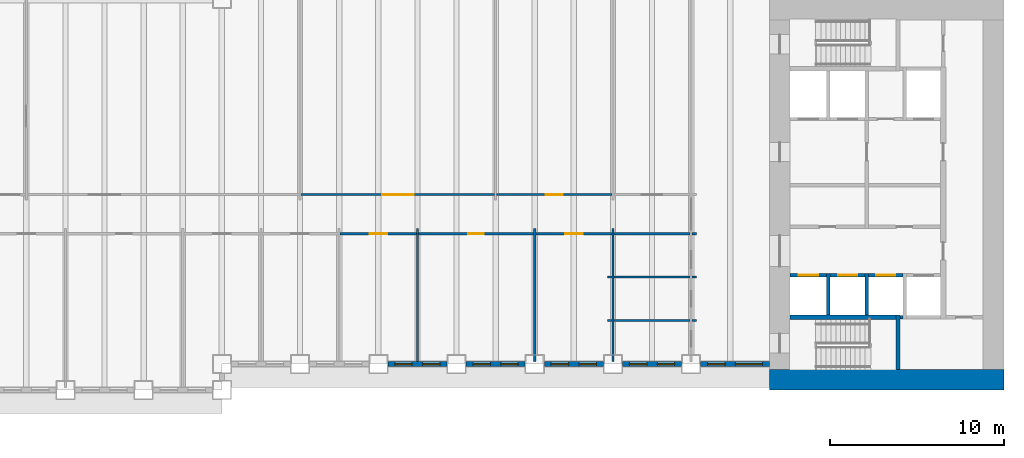
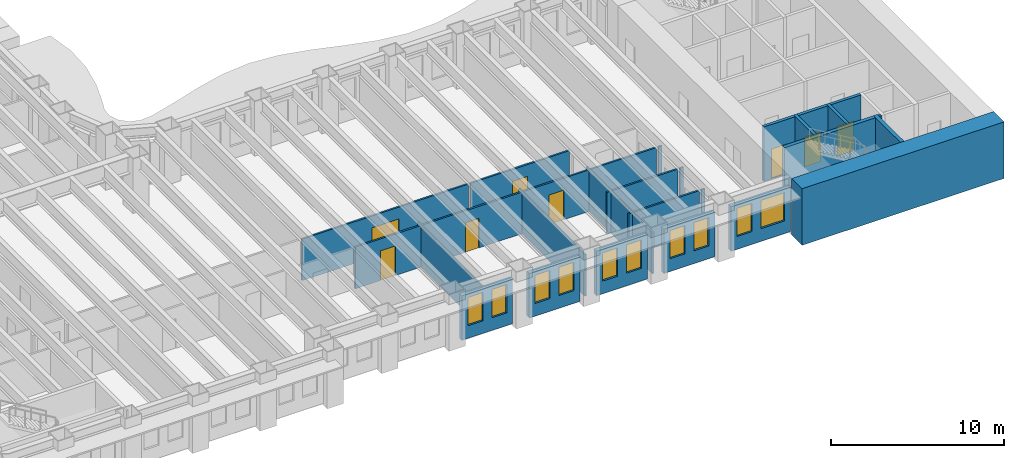
# One storey, part 5 of 15: 30 walls, 10 windows, 8 doors, 18 openings.
"""IFC4 building model written with IfcOpenShell, lengths in metres."""

from ifc_helpers import new_model, si_unit, direction, frame, frame_2d, origin, place, context, subcontext, project, spatial, rectangle, extrude, material, layer, layer_set, type_object, element, fill, save


model = new_model("IFC4")

# Units and contexts
model_context = context("Model", 3, precision=1e-05, world=origin(), true_north=direction((0.0, 1.0)))
body_context = subcontext(model_context, "Body", "Model", "MODEL_VIEW")
ifc_project = project(units=[si_unit("LENGTHUNIT", "METRE"), si_unit("AREAUNIT", "SQUARE_METRE"), si_unit("VOLUMEUNIT", "CUBIC_METRE"), si_unit("PLANEANGLEUNIT", "RADIAN"), si_unit("MASSUNIT", "GRAM", prefix="KILO")], contexts=[model_context])

# Site, building, storey
site_placement = place(None, origin())
site = spatial("IfcSite", under=ifc_project, at=site_placement, CompositionType="ELEMENT")
building_placement = place(site_placement, origin())
building = spatial("IfcBuilding", under=site, at=building_placement, Name="Sennacour Bend Tower", CompositionType="ELEMENT")
storey_placement = place(building_placement, frame((0.0, 0.0, 33.0)))
storey = spatial("IfcBuildingStorey", under=building, at=storey_placement, Name="L06", CompositionType="ELEMENT", Elevation=33.0)

# Walls
ifc_material_1 = material(Name="Concrete C80/95", Category="concrete")
ifc_layer_1 = layer(ifc_material_1, 1.199951171875, Name="Concrete C80/95", Category="concrete")
ifc_layer_set_1 = layer_set([ifc_layer_1], Name="Concrete C80/95")
wall_type_1 = type_object("IfcWallType", Name="Core wall 1200 C80/95", PredefinedType="SHEAR", material=ifc_layer_set_1)
wall_1_placement = place(storey_placement, frame((67.5, 0.60009765625, -0.14990234375), z_axis=(0.0, 0.0, 1.0), x_axis=(-1.0, 0.0, 0.0)))
element("IfcWall", 1, at=wall_1_placement, inside=storey, type_object=wall_type_1, Name="Core A wall L06 S", PredefinedType="SHEAR", context=body_context, shape_type="SweptSolid", body=[
    extrude(rectangle(XDim=13.5, YDim=1.199951171875, at=frame_2d((6.75, 0.0))), origin(), (0.0, 0.0, 1.0), 4.0),
])
ifc_material_2 = material(Name="Plasterboard partition on steel studs", Category="steel")
ifc_layer_2 = layer(ifc_material_2, 0.1201171875, Name="Plasterboard partition on steel studs", Category="steel")
ifc_layer_set_2 = layer_set([ifc_layer_2], Name="Plasterboard partition on steel studs")
wall_type_2 = type_object("IfcWallType", Name="Partition 120", PredefinedType="PARTITIONING", material=ifc_layer_set_2)
for number, where, z_axis, x_axis, name in (
    (2, (33.75, 1.64990234375, 0.0), (0.0, 0.0, 1.0), (0.0, 1.0, 0.0), "P-L06-W029a"),
    (3, (40.5, 1.64990234375, 0.0), (0.0, 0.0, 1.0), (0.0, 1.0, 0.0), "P-L06-W031a"),
    (4, (45.0, 1.64990234375, 0.0), (0.0, 0.0, 1.0), (0.0, 1.0, 0.0), "P-L06-W032a"),
):
    element("IfcWall", number, at=place(storey_placement, frame(where, z_axis=z_axis, x_axis=x_axis)), inside=storey, type_object=wall_type_2, Name=name, PredefinedType="PARTITIONING", context=body_context, shape_type="SweptSolid", body=[
        extrude(rectangle(XDim=7.650146484375, YDim=0.1201171875, at=frame_2d((3.8251953125, 0.0))), origin(), (0.0, 0.0, 1.0), 2.93798828125),
    ])
wall_2_placement = place(storey_placement, frame((44.699951171875, 4.0, 0.0), z_axis=(0.0, 0.0, 1.0), x_axis=(1.0, 0.0, 0.0)))
element("IfcWall", 5, at=wall_2_placement, inside=storey, type_object=wall_type_2, Name="P-L06-W052aa", PredefinedType="PARTITIONING", context=body_context, shape_type="SweptSolid", body=[
    extrude(rectangle(XDim=0.239990234375, YDim=0.1201171875, at=frame_2d((0.1201171875, 0.0))), origin(), (0.0, 0.0, 1.0), 2.93798828125),
])
wall_3_placement = place(storey_placement, frame((45.06005859375, 4.0, 0.0), z_axis=(0.0, 0.0, 1.0), x_axis=(1.0, 0.0, 0.0)))
element("IfcWall", 6, at=wall_3_placement, inside=storey, type_object=wall_type_2, Name="P-L06-W052ab", PredefinedType="PARTITIONING", context=body_context, shape_type="SweptSolid", body=[
    extrude(rectangle(XDim=4.3798828125, YDim=0.1201171875, at=frame_2d((2.18994140625, 0.0))), origin(), (0.0, 0.0, 1.0), 2.93798828125),
])
for number, where, z_axis, x_axis, name in (
    (7, (49.56005859375, 4.0, 0.0), (0.0, 0.0, 1.0), (1.0, 0.0, 0.0), "P-L06-W052ac"),
    (8, (44.699951171875, 6.5, 0.0), (0.0, 0.0, 1.0), (1.0, 0.0, 0.0), "P-L06-W056aa"),
):
    element("IfcWall", number, at=place(storey_placement, frame(where, z_axis=z_axis, x_axis=x_axis)), inside=storey, type_object=wall_type_2, Name=name, PredefinedType="PARTITIONING", context=body_context, shape_type="SweptSolid", body=[
        extrude(rectangle(XDim=0.239990234375, YDim=0.1201171875, at=frame_2d((0.1201171875, 0.0))), origin(), (0.0, 0.0, 1.0), 2.93798828125),
    ])
wall_4_placement = place(storey_placement, frame((45.06005859375, 6.5, 0.0), z_axis=(0.0, 0.0, 1.0), x_axis=(1.0, 0.0, 0.0)))
element("IfcWall", 9, at=wall_4_placement, inside=storey, type_object=wall_type_2, Name="P-L06-W056ab", PredefinedType="PARTITIONING", context=body_context, shape_type="SweptSolid", body=[
    extrude(rectangle(XDim=4.3798828125, YDim=0.1201171875, at=frame_2d((2.18994140625, 0.0))), origin(), (0.0, 0.0, 1.0), 2.93798828125),
])
wall_5_placement = place(storey_placement, frame((49.56005859375, 6.5, 0.0), z_axis=(0.0, 0.0, 1.0), x_axis=(1.0, 0.0, 0.0)))
element("IfcWall", 10, at=wall_5_placement, inside=storey, type_object=wall_type_2, Name="P-L06-W056ac", PredefinedType="PARTITIONING", context=body_context, shape_type="SweptSolid", body=[
    extrude(rectangle(XDim=0.239990234375, YDim=0.1201171875, at=frame_2d((0.1201171875, 0.0))), origin(), (0.0, 0.0, 1.0), 2.93798828125),
])

# Wall, opening, door
wall_6_placement = place(storey_placement, frame((29.31005859375, 9.0, 0.0), z_axis=(0.0, 0.0, 1.0), x_axis=(1.0, 0.0, 0.0)))
wall_6 = element("IfcWall", 11, at=wall_6_placement, inside=storey, type_object=wall_type_2, Name="P-L06-W058af", PredefinedType="PARTITIONING", context=body_context, shape_type="SweptSolid", body=[
    extrude(rectangle(XDim=4.3798828125, YDim=0.1201171875, at=frame_2d((2.18994140625, 0.0))), origin(), (0.0, 0.0, 1.0), 2.93798828125),
])
opening_1_placement = place(wall_6_placement, frame((1.68994140625, 0.0, 0.0)))
opening_1 = element("IfcOpeningElement", 12, at=opening_1_placement, cuts=wall_6, Name="Opening OD2", PredefinedType="OPENING", context=body_context, shape_type="SweptSolid", body=[
    extrude(rectangle(XDim=1.0, YDim=2.10009765625, at=frame_2d((0.5, 1.050048828125))), frame((0.0, 0.070068359375, 0.0), z_axis=(0.0, -1.0, 0.0), x_axis=(1.0, 0.0, 0.0)), (0.0, 0.0, 1.0), 0.14013671875),
])
ifc_material_3 = material(Name="Timber", Category="wood")
door_type_1 = type_object("IfcDoorType", Name="DR-OFFICE-1000", OperationType="NOTDEFINED", PredefinedType="DOOR", material=ifc_material_3)
door_1_placement = place(opening_1_placement, origin())
door_1 = element("IfcDoor", 13, at=door_1_placement, inside=storey, type_object=door_type_1, Name="Door", OperationType="SINGLE_SWING_LEFT", OverallHeight=2.10009765625, OverallWidth=1.0, PredefinedType="DOOR", context=body_context, shape_type="SweptSolid", body=[
    extrude(rectangle(XDim=1.0, YDim=2.10009765625, at=frame_2d((0.5, 1.050048828125))), frame((0.0, 0.02490234375, 0.0), z_axis=(0.0, -1.0, 0.0), x_axis=(1.0, 0.0, 0.0)), (0.0, 0.0, 1.0), 0.050048828125),
])
fill(opening_1, door_1)

wall_7_placement = place(storey_placement, frame((40.56005859375, 9.0, 0.0), z_axis=(0.0, 0.0, 1.0), x_axis=(1.0, 0.0, 0.0)))
wall_7 = element("IfcWall", 14, at=wall_7_placement, inside=storey, type_object=wall_type_2, Name="P-L06-W058ah", PredefinedType="PARTITIONING", context=body_context, shape_type="SweptSolid", body=[
    extrude(rectangle(XDim=4.3798828125, YDim=0.1201171875, at=frame_2d((2.18994140625, 0.0))), origin(), (0.0, 0.0, 1.0), 2.93798828125),
])
opening_2_placement = place(wall_7_placement, frame((1.68994140625, 0.0, 0.0)))
opening_2 = element("IfcOpeningElement", 15, at=opening_2_placement, cuts=wall_7, Name="Opening OD2", PredefinedType="OPENING", context=body_context, shape_type="SweptSolid", body=[
    extrude(rectangle(XDim=1.0, YDim=2.10009765625, at=frame_2d((0.5, 1.050048828125))), frame((0.0, 0.070068359375, 0.0), z_axis=(0.0, -1.0, 0.0), x_axis=(1.0, 0.0, 0.0)), (0.0, 0.0, 1.0), 0.14013671875),
])
door_2_placement = place(opening_2_placement, origin())
door_2 = element("IfcDoor", 16, at=door_2_placement, inside=storey, type_object=door_type_1, Name="Door", OperationType="SINGLE_SWING_LEFT", OverallHeight=2.10009765625, OverallWidth=1.0, PredefinedType="DOOR", context=body_context, shape_type="SweptSolid", body=[
    extrude(rectangle(XDim=1.0, YDim=2.10009765625, at=frame_2d((0.5, 1.050048828125))), frame((0.0, 0.02490234375, 0.0), z_axis=(0.0, -1.0, 0.0), x_axis=(1.0, 0.0, 0.0)), (0.0, 0.0, 1.0), 0.050048828125),
])
fill(opening_2, door_2)

# Walls
wall_8_placement = place(storey_placement, frame((45.06005859375, 9.0, 0.0), z_axis=(0.0, 0.0, 1.0), x_axis=(1.0, 0.0, 0.0)))
element("IfcWall", 17, at=wall_8_placement, inside=storey, type_object=wall_type_2, Name="P-L06-W058ai", PredefinedType="PARTITIONING", context=body_context, shape_type="SweptSolid", body=[
    extrude(rectangle(XDim=4.3798828125, YDim=0.1201171875, at=frame_2d((2.18994140625, 0.0))), origin(), (0.0, 0.0, 1.0), 2.93798828125),
])
wall_9_placement = place(storey_placement, frame((49.56005859375, 9.0, 0.0), z_axis=(0.0, 0.0, 1.0), x_axis=(1.0, 0.0, 0.0)))
element("IfcWall", 18, at=wall_9_placement, inside=storey, type_object=wall_type_2, Name="P-L06-W058aj", PredefinedType="PARTITIONING", context=body_context, shape_type="SweptSolid", body=[
    extrude(rectangle(XDim=0.239990234375, YDim=0.1201171875, at=frame_2d((0.1201171875, 0.0))), origin(), (0.0, 0.0, 1.0), 2.93798828125),
])

# Wall, opening, door
wall_10_placement = place(storey_placement, frame((27.06005859375, 11.25, 0.0), z_axis=(0.0, 0.0, 1.0), x_axis=(1.0, 0.0, 0.0)))
wall_10 = element("IfcWall", 19, at=wall_10_placement, inside=storey, type_object=wall_type_2, Name="P-L06-W060ad", PredefinedType="PARTITIONING", context=body_context, shape_type="SweptSolid", body=[
    extrude(rectangle(XDim=11.1298828125, YDim=0.1201171875, at=frame_2d((5.56494140625, 0.0))), origin(), (0.0, 0.0, 1.0), 2.93798828125),
])
opening_3_placement = place(wall_10_placement, frame((4.664794921875, 0.0, 0.0)))
opening_3 = element("IfcOpeningElement", 20, at=opening_3_placement, cuts=wall_10, Name="Opening OD3", PredefinedType="OPENING", context=body_context, shape_type="SweptSolid", body=[
    extrude(rectangle(XDim=1.800048828125, YDim=2.10009765625, at=frame_2d((0.89990234375, 1.050048828125))), frame((0.0, 0.070068359375, 0.0), z_axis=(0.0, -1.0, 0.0), x_axis=(1.0, 0.0, 0.0)), (0.0, 0.0, 1.0), 0.14013671875),
])
door_type_2 = type_object("IfcDoorType", Name="DR-OFFICE-1800", OperationType="NOTDEFINED", PredefinedType="DOOR", material=ifc_material_3)
door_3_placement = place(opening_3_placement, origin())
door_3 = element("IfcDoor", 21, at=door_3_placement, inside=storey, type_object=door_type_2, Name="Door", OperationType="DOUBLE_DOOR_SINGLE_SWING", OverallHeight=2.10009765625, OverallWidth=1.800048828125, PredefinedType="DOOR", context=body_context, shape_type="SweptSolid", body=[
    extrude(rectangle(XDim=1.800048828125, YDim=2.10009765625, at=frame_2d((0.89990234375, 1.050048828125))), frame((0.0, 0.02490234375, 0.0), z_axis=(0.0, -1.0, 0.0), x_axis=(1.0, 0.0, 0.0)), (0.0, 0.0, 1.0), 0.050048828125),
])
fill(opening_3, door_3)

wall_11_placement = place(storey_placement, frame((38.31005859375, 11.25, 0.0), z_axis=(0.0, 0.0, 1.0), x_axis=(1.0, 0.0, 0.0)))
wall_11 = element("IfcWall", 22, at=wall_11_placement, inside=storey, type_object=wall_type_2, Name="P-L06-W060ae", PredefinedType="PARTITIONING", context=body_context, shape_type="SweptSolid", body=[
    extrude(rectangle(XDim=6.6298828125, YDim=0.1201171875, at=frame_2d((3.31494140625, 0.0))), origin(), (0.0, 0.0, 1.0), 2.93798828125),
])
opening_4_placement = place(wall_11_placement, frame((2.81494140625, 0.0, 0.0)))
opening_4 = element("IfcOpeningElement", 23, at=opening_4_placement, cuts=wall_11, Name="Opening MD2", PredefinedType="OPENING", context=body_context, shape_type="SweptSolid", body=[
    extrude(rectangle(XDim=1.0, YDim=2.10009765625, at=frame_2d((0.5, 1.050048828125))), frame((0.0, 0.070068359375, 0.0), z_axis=(0.0, -1.0, 0.0), x_axis=(1.0, 0.0, 0.0)), (0.0, 0.0, 1.0), 0.14013671875),
])
door_type_3 = type_object("IfcDoorType", Name="DR-MEETING-1000", OperationType="NOTDEFINED", PredefinedType="DOOR", material=ifc_material_3)
door_4_placement = place(opening_4_placement, origin())
door_4 = element("IfcDoor", 24, at=door_4_placement, inside=storey, type_object=door_type_3, Name="Door", OperationType="SINGLE_SWING_LEFT", OverallHeight=2.10009765625, OverallWidth=1.0, PredefinedType="DOOR", context=body_context, shape_type="SweptSolid", body=[
    extrude(rectangle(XDim=1.0, YDim=2.10009765625, at=frame_2d((0.5, 1.050048828125))), frame((0.0, 0.02490234375, 0.0), z_axis=(0.0, -1.0, 0.0), x_axis=(1.0, 0.0, 0.0)), (0.0, 0.0, 1.0), 0.050048828125),
])
fill(opening_4, door_4)

ifc_layer_3 = layer(ifc_material_2, 0.1201171875, Name="Plasterboard partition on steel studs", Category="steel")
ifc_layer_set_3 = layer_set([ifc_layer_3], Name="Plasterboard partition on steel studs")
wall_type_3 = type_object("IfcWallType", Name="Partition 120 EI 60", PredefinedType="PARTITIONING", material=ifc_layer_set_3)
wall_12_placement = place(storey_placement, frame((33.81005859375, 9.0, 0.0), z_axis=(0.0, 0.0, 1.0), x_axis=(1.0, 0.0, 0.0)))
wall_12 = element("IfcWall", 25, at=wall_12_placement, inside=storey, type_object=wall_type_3, Name="P-L06-W058ag", PredefinedType="PARTITIONING", context=body_context, shape_type="SweptSolid", body=[
    extrude(rectangle(XDim=6.6298828125, YDim=0.1201171875, at=frame_2d((3.31494140625, 0.0))), origin(), (0.0, 0.0, 1.0), 2.93798828125),
])
opening_5_placement = place(wall_12_placement, frame((2.864990234375, 0.0, 0.0)))
opening_5 = element("IfcOpeningElement", 26, at=opening_5_placement, cuts=wall_12, Name="Opening SV", PredefinedType="OPENING", context=body_context, shape_type="SweptSolid", body=[
    extrude(rectangle(XDim=0.89990234375, YDim=2.10009765625, at=frame_2d((0.449951171875, 1.050048828125))), frame((0.0, 0.070068359375, 0.0), z_axis=(0.0, -1.0, 0.0), x_axis=(1.0, 0.0, 0.0)), (0.0, 0.0, 1.0), 0.14013671875),
])
ifc_material_4 = material(Name="Painted steel", Category="steel")
door_type_4 = type_object("IfcDoorType", Name="DR-SERVICE-900", OperationType="NOTDEFINED", PredefinedType="DOOR", material=ifc_material_4)
door_5_placement = place(opening_5_placement, origin())
door_5 = element("IfcDoor", 27, at=door_5_placement, inside=storey, type_object=door_type_4, Name="Door", OperationType="SINGLE_SWING_LEFT", OverallHeight=2.10009765625, OverallWidth=0.89990234375, PredefinedType="DOOR", context=body_context, shape_type="SweptSolid", body=[
    extrude(rectangle(XDim=0.89990234375, YDim=2.10009765625, at=frame_2d((0.449951171875, 1.050048828125))), frame((0.0, 0.02490234375, 0.0), z_axis=(0.0, -1.0, 0.0), x_axis=(1.0, 0.0, 0.0)), (0.0, 0.0, 1.0), 0.050048828125),
])
fill(opening_5, door_5)

# Wall, openings, windows
ifc_material_5 = material(Name="Warm limestone cladding", Category="masonry")
ifc_layer_4 = layer(ifc_material_5, 0.050048828125, Name="Warm limestone cladding", Category="masonry")
ifc_material_6 = material(Name="Precast concrete C40/50", Category="concrete")
ifc_layer_5 = layer(ifc_material_6, 0.25, Name="Precast concrete C40/50", Category="concrete")
ifc_layer_set_4 = layer_set([ifc_layer_4, ifc_layer_5], Name="Precast concrete C40/50 with limestone cladding")
wall_type_4 = type_object("IfcWallType", Name="STONE-CLAD PRECAST SPANDREL 300", PredefinedType="STANDARD", material=ifc_layer_set_4)
wall_13_placement = place(storey_placement, frame((32.050048828125, 1.5, 0.0), z_axis=(0.0, 0.0, 1.0), x_axis=(1.0, 0.0, 0.0)))
wall_13 = element("IfcWall", 28, at=wall_13_placement, inside=storey, type_object=wall_type_4, Name="Stone spandrel and pier wall L06 02.02", PredefinedType="STANDARD", context=body_context, shape_type="SweptSolid", body=[
    extrude(rectangle(XDim=3.39990234375, YDim=0.300048828125, at=frame_2d((1.699951171875, 0.0))), origin(), (0.0, 0.0, 1.0), 3.14404296875),
])
opening_6_placement = place(wall_13_placement, frame((0.39990234375, 0.0, 0.89990234375)))
opening_6 = element("IfcOpeningElement", 29, at=opening_6_placement, cuts=wall_13, Name="Opening W8", PredefinedType="OPENING", context=body_context, shape_type="SweptSolid", body=[
    extrude(rectangle(XDim=1.0, YDim=2.0, at=frame_2d((0.5, 1.0))), frame((0.0, 0.16015625, 0.0), z_axis=(0.0, -1.0, 0.0), x_axis=(1.0, 0.0, 0.0)), (0.0, 0.0, 1.0), 0.320068359375),
])
opening_7_placement = place(wall_13_placement, frame((2.0, 0.0, 0.89990234375)))
opening_7 = element("IfcOpeningElement", 30, at=opening_7_placement, cuts=wall_13, Name="Opening W8", PredefinedType="OPENING", context=body_context, shape_type="SweptSolid", body=[
    extrude(rectangle(XDim=1.0, YDim=2.0, at=frame_2d((0.5, 1.0))), frame((0.0, 0.16015625, 0.0), z_axis=(0.0, -1.0, 0.0), x_axis=(1.0, 0.0, 0.0)), (0.0, 0.0, 1.0), 0.320068359375),
])
ifc_material_7 = material(Name="Clear low-emissivity glass", Category="glass")
window_type_1 = type_object("IfcWindowType", Name="WIN-RIBBON-1000x2000", PartitioningType="SINGLE_PANEL", PredefinedType="WINDOW", material=ifc_material_7)
window_1_placement = place(opening_6_placement, origin())
window_1 = element("IfcWindow", 31, at=window_1_placement, inside=storey, type_object=window_type_1, Name="Ribbon window L06 02.02.0", OverallHeight=2.0, OverallWidth=1.0, PartitioningType="SINGLE_PANEL", PredefinedType="WINDOW", context=body_context, shape_type="SweptSolid", body=[
    extrude(rectangle(XDim=1.0, YDim=2.0, at=frame_2d((0.5, 1.0))), frame((0.0, 0.030029296875, 0.0), z_axis=(0.0, -1.0, 0.0), x_axis=(1.0, 0.0, 0.0)), (0.0, 0.0, 1.0), 0.06005859375),
])
fill(opening_6, window_1)
window_2_placement = place(opening_7_placement, origin())
window_2 = element("IfcWindow", 32, at=window_2_placement, inside=storey, type_object=window_type_1, Name="Ribbon window L06 02.02.1", OverallHeight=2.0, OverallWidth=1.0, PartitioningType="SINGLE_PANEL", PredefinedType="WINDOW", context=body_context, shape_type="SweptSolid", body=[
    extrude(rectangle(XDim=1.0, YDim=2.0, at=frame_2d((0.5, 1.0))), frame((0.0, 0.030029296875, 0.0), z_axis=(0.0, -1.0, 0.0), x_axis=(1.0, 0.0, 0.0)), (0.0, 0.0, 1.0), 0.06005859375),
])
fill(opening_7, window_2)

wall_14_placement = place(storey_placement, frame((36.550048828125, 1.5, 0.0), z_axis=(0.0, 0.0, 1.0), x_axis=(1.0, 0.0, 0.0)))
wall_14 = element("IfcWall", 33, at=wall_14_placement, inside=storey, type_object=wall_type_4, Name="Stone spandrel and pier wall L06 02.03", PredefinedType="STANDARD", context=body_context, shape_type="SweptSolid", body=[
    extrude(rectangle(XDim=3.39990234375, YDim=0.300048828125, at=frame_2d((1.699951171875, 0.0))), origin(), (0.0, 0.0, 1.0), 3.14404296875),
])
opening_8_placement = place(wall_14_placement, frame((0.39990234375, 0.0, 0.89990234375)))
opening_8 = element("IfcOpeningElement", 34, at=opening_8_placement, cuts=wall_14, Name="Opening W8", PredefinedType="OPENING", context=body_context, shape_type="SweptSolid", body=[
    extrude(rectangle(XDim=1.0, YDim=2.0, at=frame_2d((0.5, 1.0))), frame((0.0, 0.16015625, 0.0), z_axis=(0.0, -1.0, 0.0), x_axis=(1.0, 0.0, 0.0)), (0.0, 0.0, 1.0), 0.320068359375),
])
opening_9_placement = place(wall_14_placement, frame((2.0, 0.0, 0.89990234375)))
opening_9 = element("IfcOpeningElement", 35, at=opening_9_placement, cuts=wall_14, Name="Opening W8", PredefinedType="OPENING", context=body_context, shape_type="SweptSolid", body=[
    extrude(rectangle(XDim=1.0, YDim=2.0, at=frame_2d((0.5, 1.0))), frame((0.0, 0.16015625, 0.0), z_axis=(0.0, -1.0, 0.0), x_axis=(1.0, 0.0, 0.0)), (0.0, 0.0, 1.0), 0.320068359375),
])
window_3_placement = place(opening_8_placement, origin())
window_3 = element("IfcWindow", 36, at=window_3_placement, inside=storey, type_object=window_type_1, Name="Ribbon window L06 02.03.0", OverallHeight=2.0, OverallWidth=1.0, PartitioningType="SINGLE_PANEL", PredefinedType="WINDOW", context=body_context, shape_type="SweptSolid", body=[
    extrude(rectangle(XDim=1.0, YDim=2.0, at=frame_2d((0.5, 1.0))), frame((0.0, 0.030029296875, 0.0), z_axis=(0.0, -1.0, 0.0), x_axis=(1.0, 0.0, 0.0)), (0.0, 0.0, 1.0), 0.06005859375),
])
fill(opening_8, window_3)
window_4_placement = place(opening_9_placement, origin())
window_4 = element("IfcWindow", 37, at=window_4_placement, inside=storey, type_object=window_type_1, Name="Ribbon window L06 02.03.1", OverallHeight=2.0, OverallWidth=1.0, PartitioningType="SINGLE_PANEL", PredefinedType="WINDOW", context=body_context, shape_type="SweptSolid", body=[
    extrude(rectangle(XDim=1.0, YDim=2.0, at=frame_2d((0.5, 1.0))), frame((0.0, 0.030029296875, 0.0), z_axis=(0.0, -1.0, 0.0), x_axis=(1.0, 0.0, 0.0)), (0.0, 0.0, 1.0), 0.06005859375),
])
fill(opening_9, window_4)

wall_15_placement = place(storey_placement, frame((41.050048828125, 1.5, 0.0), z_axis=(0.0, 0.0, 1.0), x_axis=(1.0, 0.0, 0.0)))
wall_15 = element("IfcWall", 38, at=wall_15_placement, inside=storey, type_object=wall_type_4, Name="Stone spandrel and pier wall L06 02.04", PredefinedType="STANDARD", context=body_context, shape_type="SweptSolid", body=[
    extrude(rectangle(XDim=3.39990234375, YDim=0.300048828125, at=frame_2d((1.699951171875, 0.0))), origin(), (0.0, 0.0, 1.0), 3.14404296875),
])
opening_10_placement = place(wall_15_placement, frame((0.39990234375, 0.0, 0.89990234375)))
opening_10 = element("IfcOpeningElement", 39, at=opening_10_placement, cuts=wall_15, Name="Opening W8", PredefinedType="OPENING", context=body_context, shape_type="SweptSolid", body=[
    extrude(rectangle(XDim=1.0, YDim=2.0, at=frame_2d((0.5, 1.0))), frame((0.0, 0.16015625, 0.0), z_axis=(0.0, -1.0, 0.0), x_axis=(1.0, 0.0, 0.0)), (0.0, 0.0, 1.0), 0.320068359375),
])
opening_11_placement = place(wall_15_placement, frame((2.0, 0.0, 0.89990234375)))
opening_11 = element("IfcOpeningElement", 40, at=opening_11_placement, cuts=wall_15, Name="Opening W8", PredefinedType="OPENING", context=body_context, shape_type="SweptSolid", body=[
    extrude(rectangle(XDim=1.0, YDim=2.0, at=frame_2d((0.5, 1.0))), frame((0.0, 0.16015625, 0.0), z_axis=(0.0, -1.0, 0.0), x_axis=(1.0, 0.0, 0.0)), (0.0, 0.0, 1.0), 0.320068359375),
])
window_5_placement = place(opening_10_placement, origin())
window_5 = element("IfcWindow", 41, at=window_5_placement, inside=storey, type_object=window_type_1, Name="Ribbon window L06 02.04.0", OverallHeight=2.0, OverallWidth=1.0, PartitioningType="SINGLE_PANEL", PredefinedType="WINDOW", context=body_context, shape_type="SweptSolid", body=[
    extrude(rectangle(XDim=1.0, YDim=2.0, at=frame_2d((0.5, 1.0))), frame((0.0, 0.030029296875, 0.0), z_axis=(0.0, -1.0, 0.0), x_axis=(1.0, 0.0, 0.0)), (0.0, 0.0, 1.0), 0.06005859375),
])
fill(opening_10, window_5)
window_6_placement = place(opening_11_placement, origin())
window_6 = element("IfcWindow", 42, at=window_6_placement, inside=storey, type_object=window_type_1, Name="Ribbon window L06 02.04.1", OverallHeight=2.0, OverallWidth=1.0, PartitioningType="SINGLE_PANEL", PredefinedType="WINDOW", context=body_context, shape_type="SweptSolid", body=[
    extrude(rectangle(XDim=1.0, YDim=2.0, at=frame_2d((0.5, 1.0))), frame((0.0, 0.030029296875, 0.0), z_axis=(0.0, -1.0, 0.0), x_axis=(1.0, 0.0, 0.0)), (0.0, 0.0, 1.0), 0.06005859375),
])
fill(opening_11, window_6)

wall_16_placement = place(storey_placement, frame((45.550048828125, 1.5, 0.0), z_axis=(0.0, 0.0, 1.0), x_axis=(1.0, 0.0, 0.0)))
wall_16 = element("IfcWall", 43, at=wall_16_placement, inside=storey, type_object=wall_type_4, Name="Stone spandrel and pier wall L06 02.05", PredefinedType="STANDARD", context=body_context, shape_type="SweptSolid", body=[
    extrude(rectangle(XDim=3.39990234375, YDim=0.300048828125, at=frame_2d((1.699951171875, 0.0))), origin(), (0.0, 0.0, 1.0), 3.14404296875),
])
opening_12_placement = place(wall_16_placement, frame((0.39990234375, 0.0, 0.89990234375)))
opening_12 = element("IfcOpeningElement", 44, at=opening_12_placement, cuts=wall_16, Name="Opening W8", PredefinedType="OPENING", context=body_context, shape_type="SweptSolid", body=[
    extrude(rectangle(XDim=1.0, YDim=2.0, at=frame_2d((0.5, 1.0))), frame((0.0, 0.16015625, 0.0), z_axis=(0.0, -1.0, 0.0), x_axis=(1.0, 0.0, 0.0)), (0.0, 0.0, 1.0), 0.320068359375),
])
opening_13_placement = place(wall_16_placement, frame((2.0, 0.0, 0.89990234375)))
opening_13 = element("IfcOpeningElement", 45, at=opening_13_placement, cuts=wall_16, Name="Opening W8", PredefinedType="OPENING", context=body_context, shape_type="SweptSolid", body=[
    extrude(rectangle(XDim=1.0, YDim=2.0, at=frame_2d((0.5, 1.0))), frame((0.0, 0.16015625, 0.0), z_axis=(0.0, -1.0, 0.0), x_axis=(1.0, 0.0, 0.0)), (0.0, 0.0, 1.0), 0.320068359375),
])
window_7_placement = place(opening_12_placement, origin())
window_7 = element("IfcWindow", 46, at=window_7_placement, inside=storey, type_object=window_type_1, Name="Ribbon window L06 02.05.0", OverallHeight=2.0, OverallWidth=1.0, PartitioningType="SINGLE_PANEL", PredefinedType="WINDOW", context=body_context, shape_type="SweptSolid", body=[
    extrude(rectangle(XDim=1.0, YDim=2.0, at=frame_2d((0.5, 1.0))), frame((0.0, 0.030029296875, 0.0), z_axis=(0.0, -1.0, 0.0), x_axis=(1.0, 0.0, 0.0)), (0.0, 0.0, 1.0), 0.06005859375),
])
fill(opening_12, window_7)
window_8_placement = place(opening_13_placement, origin())
window_8 = element("IfcWindow", 47, at=window_8_placement, inside=storey, type_object=window_type_1, Name="Ribbon window L06 02.05.1", OverallHeight=2.0, OverallWidth=1.0, PartitioningType="SINGLE_PANEL", PredefinedType="WINDOW", context=body_context, shape_type="SweptSolid", body=[
    extrude(rectangle(XDim=1.0, YDim=2.0, at=frame_2d((0.5, 1.0))), frame((0.0, 0.030029296875, 0.0), z_axis=(0.0, -1.0, 0.0), x_axis=(1.0, 0.0, 0.0)), (0.0, 0.0, 1.0), 0.06005859375),
])
fill(opening_13, window_8)

wall_17_placement = place(storey_placement, frame((50.050048828125, 1.5, 0.0), z_axis=(0.0, 0.0, 1.0), x_axis=(1.0, 0.0, 0.0)))
wall_17 = element("IfcWall", 48, at=wall_17_placement, inside=storey, type_object=wall_type_4, Name="Stone spandrel and pier wall L06 02.06", PredefinedType="STANDARD", context=body_context, shape_type="SweptSolid", body=[
    extrude(rectangle(XDim=3.949951171875, YDim=0.300048828125, at=frame_2d((1.97509765625, 0.0))), origin(), (0.0, 0.0, 1.0), 3.14404296875),
])
opening_14_placement = place(wall_17_placement, frame((0.39990234375, 0.0, 0.89990234375)))
opening_14 = element("IfcOpeningElement", 49, at=opening_14_placement, cuts=wall_17, Name="Opening W8", PredefinedType="OPENING", context=body_context, shape_type="SweptSolid", body=[
    extrude(rectangle(XDim=1.0, YDim=2.0, at=frame_2d((0.5, 1.0))), frame((0.0, 0.16015625, 0.0), z_axis=(0.0, -1.0, 0.0), x_axis=(1.0, 0.0, 0.0)), (0.0, 0.0, 1.0), 0.320068359375),
])
opening_15_placement = place(wall_17_placement, frame((2.0, 0.0, 0.89990234375)))
opening_15 = element("IfcOpeningElement", 50, at=opening_15_placement, cuts=wall_17, Name="Opening W9", PredefinedType="OPENING", context=body_context, shape_type="SweptSolid", body=[
    extrude(rectangle(XDim=1.550048828125, YDim=2.0, at=frame_2d((0.77490234375, 1.0))), frame((0.0, 0.16015625, 0.0), z_axis=(0.0, -1.0, 0.0), x_axis=(1.0, 0.0, 0.0)), (0.0, 0.0, 1.0), 0.320068359375),
])
window_9_placement = place(opening_14_placement, origin())
window_9 = element("IfcWindow", 51, at=window_9_placement, inside=storey, type_object=window_type_1, Name="Ribbon window L06 02.06.0", OverallHeight=2.0, OverallWidth=1.0, PartitioningType="SINGLE_PANEL", PredefinedType="WINDOW", context=body_context, shape_type="SweptSolid", body=[
    extrude(rectangle(XDim=1.0, YDim=2.0, at=frame_2d((0.5, 1.0))), frame((0.0, 0.030029296875, 0.0), z_axis=(0.0, -1.0, 0.0), x_axis=(1.0, 0.0, 0.0)), (0.0, 0.0, 1.0), 0.06005859375),
])
fill(opening_14, window_9)
window_type_2 = type_object("IfcWindowType", Name="WIN-RIBBON-1550x2000", PartitioningType="SINGLE_PANEL", PredefinedType="WINDOW", material=ifc_material_7)
window_10_placement = place(opening_15_placement, origin())
window_10 = element("IfcWindow", 52, at=window_10_placement, inside=storey, type_object=window_type_2, Name="Ribbon window L06 02.06.1", OverallHeight=2.0, OverallWidth=1.550048828125, PartitioningType="SINGLE_PANEL", PredefinedType="WINDOW", context=body_context, shape_type="SweptSolid", body=[
    extrude(rectangle(XDim=1.550048828125, YDim=2.0, at=frame_2d((0.77490234375, 1.0))), frame((0.0, 0.030029296875, 0.0), z_axis=(0.0, -1.0, 0.0), x_axis=(1.0, 0.0, 0.0)), (0.0, 0.0, 1.0), 0.06005859375),
])
fill(opening_15, window_10)

# Walls
ifc_material_8 = material(Name="Concrete C50/60", Category="concrete")
ifc_layer_6 = layer(ifc_material_8, 0.199951171875, Name="Concrete C50/60", Category="concrete")
ifc_layer_set_5 = layer_set([ifc_layer_6], Name="Concrete C50/60")
wall_type_5 = type_object("IfcWallType", Name="Shaft wall 200", PredefinedType="SOLIDWALL", material=ifc_layer_set_5)
for number, where, z_axis, x_axis, name in (
    (53, (57.39990234375, 4.324951171875, 0.0), (0.0, 0.0, 1.0), (0.0, 1.0, 0.0), "P-L06-W036"),
    (54, (59.60009765625, 4.324951171875, 0.0), (0.0, 0.0, 1.0), (0.0, 1.0, 0.0), "P-L06-W038"),
):
    element("IfcWall", number, at=place(storey_placement, frame(where, z_axis=z_axis, x_axis=x_axis)), inside=storey, type_object=wall_type_5, Name=name, PredefinedType="SOLIDWALL", context=body_context, shape_type="SweptSolid", body=[
        extrude(rectangle(XDim=2.375, YDim=0.199951171875, at=frame_2d((1.1875, 0.0))), origin(), (0.0, 0.0, 1.0), 3.85009765625),
    ])
wall_18_placement = place(storey_placement, frame((61.52490234375, 4.199951171875, 0.0), z_axis=(0.0, 0.0, 1.0), x_axis=(1.0, 0.0, 0.0)))
element("IfcWall", 55, at=wall_18_placement, inside=storey, type_object=wall_type_5, Name="P-L06-W054a", PredefinedType="SOLIDWALL", context=body_context, shape_type="SweptSolid", body=[
    extrude(rectangle(XDim=0.175048828125, YDim=0.199951171875, at=frame_2d((0.08740234375, 0.0))), origin(), (0.0, 0.0, 1.0), 3.85009765625),
])

# Wall, opening, door
wall_19_placement = place(storey_placement, frame((55.199951171875, 6.60009765625, 0.0), z_axis=(0.0, 0.0, 1.0), x_axis=(1.0, 0.0, 0.0)))
wall_19 = element("IfcWall", 56, at=wall_19_placement, inside=storey, type_object=wall_type_5, Name="P-L06-W057a", PredefinedType="SOLIDWALL", context=body_context, shape_type="SweptSolid", body=[
    extrude(rectangle(XDim=2.10009765625, YDim=0.199951171875, at=frame_2d((1.050048828125, 0.0))), origin(), (0.0, 0.0, 1.0), 3.85009765625),
])
opening_16_placement = place(wall_19_placement, frame((0.5, 0.0, 0.011962890625)))
opening_16 = element("IfcOpeningElement", 57, at=opening_16_placement, cuts=wall_19, Name="Opening LD", PredefinedType="OPENING", context=body_context, shape_type="SweptSolid", body=[
    extrude(rectangle(XDim=1.10009765625, YDim=2.10009765625, at=frame_2d((0.550048828125, 1.050048828125))), frame((0.0, 0.10986328125, 0.0), z_axis=(0.0, -1.0, 0.0), x_axis=(1.0, 0.0, 0.0)), (0.0, 0.0, 1.0), 0.219970703125),
])
ifc_material_9 = material(Name="Stainless steel", Category="steel")
door_type_5 = type_object("IfcDoorType", Name="DR-LANDING-1100", OperationType="NOTDEFINED", PredefinedType="DOOR", material=ifc_material_9)
door_6_placement = place(opening_16_placement, origin())
door_6 = element("IfcDoor", 58, at=door_6_placement, inside=storey, type_object=door_type_5, Name="Lift landing door LA1", OperationType="SLIDING_TO_LEFT", OverallHeight=2.10009765625, OverallWidth=1.10009765625, PredefinedType="DOOR", context=body_context, shape_type="SweptSolid", body=[
    extrude(rectangle(XDim=1.10009765625, YDim=2.10009765625, at=frame_2d((0.550048828125, 1.050048828125))), frame((0.0, 0.02490234375, 0.0), z_axis=(0.0, -1.0, 0.0), x_axis=(1.0, 0.0, 0.0)), (0.0, 0.0, 1.0), 0.050048828125),
])
fill(opening_16, door_6)

wall_20_placement = place(storey_placement, frame((57.5, 6.60009765625, 0.0), z_axis=(0.0, 0.0, 1.0), x_axis=(1.0, 0.0, 0.0)))
wall_20 = element("IfcWall", 59, at=wall_20_placement, inside=storey, type_object=wall_type_5, Name="P-L06-W057b", PredefinedType="SOLIDWALL", context=body_context, shape_type="SweptSolid", body=[
    extrude(rectangle(XDim=2.0, YDim=0.199951171875, at=frame_2d((1.0, 0.0))), origin(), (0.0, 0.0, 1.0), 3.85009765625),
])
opening_17_placement = place(wall_20_placement, frame((0.449951171875, 0.0, 0.011962890625)))
opening_17 = element("IfcOpeningElement", 60, at=opening_17_placement, cuts=wall_20, Name="Opening LD", PredefinedType="OPENING", context=body_context, shape_type="SweptSolid", body=[
    extrude(rectangle(XDim=1.10009765625, YDim=2.10009765625, at=frame_2d((0.550048828125, 1.050048828125))), frame((0.0, 0.10986328125, 0.0), z_axis=(0.0, -1.0, 0.0), x_axis=(1.0, 0.0, 0.0)), (0.0, 0.0, 1.0), 0.219970703125),
])
door_7_placement = place(opening_17_placement, origin())
door_7 = element("IfcDoor", 61, at=door_7_placement, inside=storey, type_object=door_type_5, Name="Lift landing door LA2", OperationType="SLIDING_TO_RIGHT", OverallHeight=2.10009765625, OverallWidth=1.10009765625, PredefinedType="DOOR", context=body_context, shape_type="SweptSolid", body=[
    extrude(rectangle(XDim=1.10009765625, YDim=2.10009765625, at=frame_2d((0.550048828125, 1.050048828125))), frame((0.0, 0.02490234375, 0.0), z_axis=(0.0, -1.0, 0.0), x_axis=(1.0, 0.0, 0.0)), (0.0, 0.0, 1.0), 0.050048828125),
])
fill(opening_17, door_7)

wall_21_placement = place(storey_placement, frame((59.699951171875, 6.60009765625, 0.0), z_axis=(0.0, 0.0, 1.0), x_axis=(1.0, 0.0, 0.0)))
wall_21 = element("IfcWall", 62, at=wall_21_placement, inside=storey, type_object=wall_type_5, Name="P-L06-W057c", PredefinedType="SOLIDWALL", context=body_context, shape_type="SweptSolid", body=[
    extrude(rectangle(XDim=2.0, YDim=0.199951171875, at=frame_2d((1.0, 0.0))), origin(), (0.0, 0.0, 1.0), 3.85009765625),
])
opening_18_placement = place(wall_21_placement, frame((0.449951171875, 0.0, 0.011962890625)))
opening_18 = element("IfcOpeningElement", 63, at=opening_18_placement, cuts=wall_21, Name="Opening LD", PredefinedType="OPENING", context=body_context, shape_type="SweptSolid", body=[
    extrude(rectangle(XDim=1.10009765625, YDim=2.10009765625, at=frame_2d((0.550048828125, 1.050048828125))), frame((0.0, 0.10986328125, 0.0), z_axis=(0.0, -1.0, 0.0), x_axis=(1.0, 0.0, 0.0)), (0.0, 0.0, 1.0), 0.219970703125),
])
door_8_placement = place(opening_18_placement, origin())
door_8 = element("IfcDoor", 64, at=door_8_placement, inside=storey, type_object=door_type_5, Name="Lift landing door LA3", OperationType="SLIDING_TO_LEFT", OverallHeight=2.10009765625, OverallWidth=1.10009765625, PredefinedType="DOOR", context=body_context, shape_type="SweptSolid", body=[
    extrude(rectangle(XDim=1.10009765625, YDim=2.10009765625, at=frame_2d((0.550048828125, 1.050048828125))), frame((0.0, 0.02490234375, 0.0), z_axis=(0.0, -1.0, 0.0), x_axis=(1.0, 0.0, 0.0)), (0.0, 0.0, 1.0), 0.050048828125),
])
fill(opening_18, door_8)

# Walls
ifc_material_10 = material(Name="Concrete C60/75", Category="concrete")
ifc_layer_7 = layer(ifc_material_10, 0.25, Name="Concrete C60/75", Category="concrete")
ifc_layer_set_6 = layer_set([ifc_layer_7], Name="Concrete C60/75")
wall_type_6 = type_object("IfcWallType", Name="Stair wall 250", PredefinedType="SHEAR", material=ifc_layer_set_6)
wall_22_placement = place(storey_placement, frame((61.39990234375, 1.199951171875, 0.0), z_axis=(0.0, 0.0, 1.0), x_axis=(0.0, 1.0, 0.0)))
element("IfcWall", 65, at=wall_22_placement, inside=storey, type_object=wall_type_6, Name="P-L06-W041", PredefinedType="SHEAR", context=body_context, shape_type="SweptSolid", body=[
    extrude(rectangle(XDim=3.125, YDim=0.25, at=frame_2d((1.5625, 0.0))), origin(), (0.0, 0.0, 1.0), 3.85009765625),
])
wall_23_placement = place(storey_placement, frame((55.199951171875, 4.199951171875, 0.0), z_axis=(0.0, 0.0, 1.0), x_axis=(1.0, 0.0, 0.0)))
element("IfcWall", 66, at=wall_23_placement, inside=storey, type_object=wall_type_6, Name="P-L06-W053", PredefinedType="SHEAR", context=body_context, shape_type="SweptSolid", body=[
    extrude(rectangle(XDim=6.074951171875, YDim=0.25, at=frame_2d((3.03759765625, 0.0))), origin(), (0.0, 0.0, 1.0), 3.85009765625),
])

save(model, "model.ifc")
